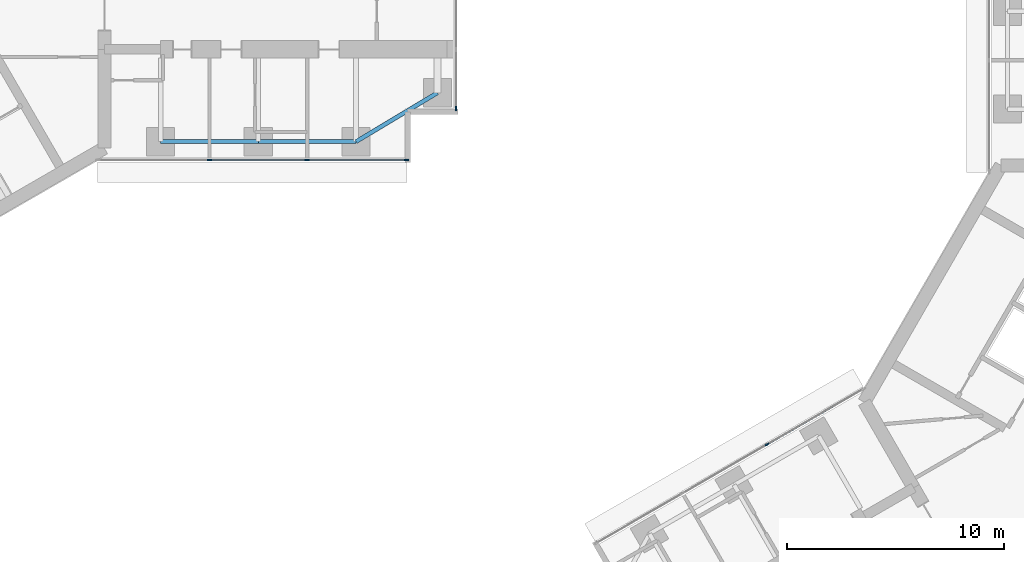
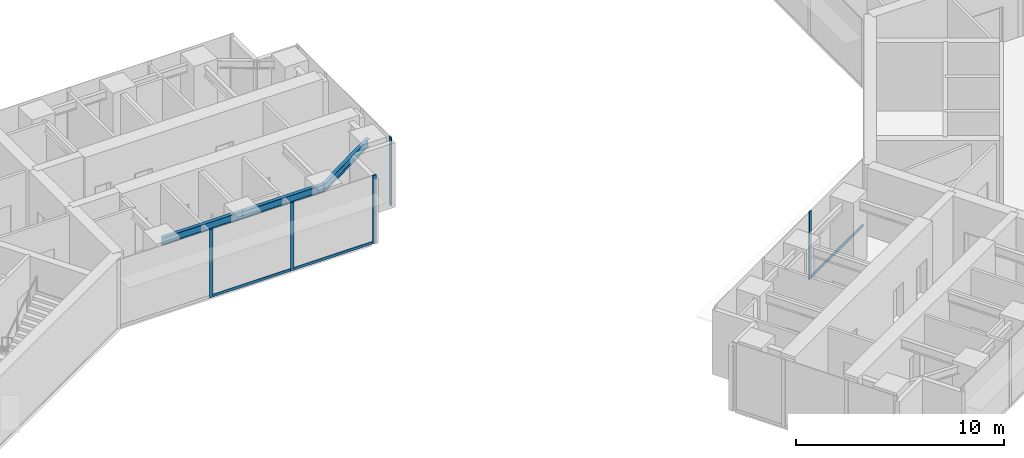
# One storey, part 4 of 22: 8 members, 3 beams, 3 elements without a shape of their own.
"""IFC4 building model written with IfcOpenShell, lengths in metres."""

from ifc_helpers import new_model, si_unit, direction, frame, origin, origin_2d, place, context, subcontext, project, spatial, rectangle, i_section, extrude, material, material_profile, profile_set, type_object, element, aggregate, save


model = new_model("IFC4")

# Units and contexts
model_context = context("Model", 3, precision=1e-05, world=origin(), true_north=direction((0.0, 1.0)))
body_context = subcontext(model_context, "Body", "Model", "MODEL_VIEW")
ifc_project = project(units=[si_unit("LENGTHUNIT", "METRE"), si_unit("AREAUNIT", "SQUARE_METRE"), si_unit("VOLUMEUNIT", "CUBIC_METRE"), si_unit("PLANEANGLEUNIT", "RADIAN"), si_unit("MASSUNIT", "GRAM", prefix="KILO")], contexts=[model_context])

# Site, building, storey
site_placement = place(None, origin())
site = spatial("IfcSite", under=ifc_project, at=site_placement, CompositionType="ELEMENT")
building_placement = place(site_placement, origin())
building = spatial("IfcBuilding", under=site, at=building_placement, Name="Upepo Twin Towers", CompositionType="ELEMENT")
storey_placement = place(building_placement, frame((0.0, 0.0, 141.5)))
storey = spatial("IfcBuildingStorey", under=building, at=storey_placement, Name="L34", CompositionType="ELEMENT", Elevation=141.5)

# Beams
ifc_material_1 = material(Name="Steel S355", Category="steel")
ifc_material_profile_1 = material_profile(ifc_material_1, i_section(OverallWidth=0.1904296875, OverallDepth=0.45703125, WebThickness=0.009033203125, FlangeThickness=0.014404296875, FilletRadius=0.01025390625, at=origin_2d()), Name="UB 457x191x74")
ifc_profile_set_1 = profile_set([ifc_material_profile_1], Name="Steel S355")
beam_type = type_object("IfcBeamType", Name="Beam UB 457x191x74", PredefinedType="BEAM", material=ifc_profile_set_1)
for number, where, z_axis, x_axis, name in (
    (1, (13.5, -6.0, 3.571533203125), (1.0, 0.0, 0.0), (0.0, 1.0, 0.0), "T1 edge beam AR 13.5-18.0"),
    (2, (18.0, -6.0, 3.571533203125), (1.0, 0.0, 0.0), (0.0, 1.0, 0.0), "T1 edge beam AR 18.0-22.5"),
):
    element("IfcBeam", number, at=place(storey_placement, frame(where, z_axis=z_axis, x_axis=x_axis)), inside=storey, type_object=beam_type, Name=name, PredefinedType="BEAM", context=body_context, shape_type="SweptSolid", body=[
        extrude(i_section(OverallWidth=0.1904296875, OverallDepth=0.45703125, WebThickness=0.009033203125, FlangeThickness=0.014404296875, FilletRadius=0.01025390625, at=origin_2d()), origin(), (0.0, 0.0, 1.0), 4.5),
    ])
beam_placement = place(storey_placement, frame((22.5, -6.0, 3.571533203125), z_axis=(0.857492925713, 0.514495755428, 0.0), x_axis=(-0.514495755428, 0.857492925713, 0.0)))
element("IfcBeam", 3, at=beam_placement, inside=storey, type_object=beam_type, Name="T1 nose edge beam AR", PredefinedType="BEAM", context=body_context, shape_type="SweptSolid", body=[
    extrude(i_section(OverallWidth=0.1904296875, OverallDepth=0.45703125, WebThickness=0.009033203125, FlangeThickness=0.014404296875, FilletRadius=0.01025390625, at=origin_2d()), origin(), (0.0, 0.0, 1.0), 4.373291015625),
])

# Curtain wall, members
ifc_material_2 = material(Name="Aluminium and fritted glass", Category="aluminium")
curtain_wall_type = type_object("IfcCurtainWallType", Name="Tower curtain wall TW2, fritted glass", PredefinedType="NOTDEFINED", material=ifc_material_2)
curtain_wall_1_placement = place(storey_placement, origin())
curtain_wall_1 = element("IfcCurtainWall", 4, at=curtain_wall_1_placement, inside=storey, type_object=curtain_wall_type, Name="T1 L34 wing A flank R curtain wall", PredefinedType="NOTDEFINED")
ifc_material_3 = material(Name="Aluminium mullion", Category="aluminium")
ifc_material_profile_2 = material_profile(ifc_material_3, rectangle(XDim=0.06494140625, YDim=0.199951171875, at=origin_2d()), Name="MULLION 65x200")
ifc_profile_set_2 = profile_set([ifc_material_profile_2], Name="Aluminium mullion")
member_type_1 = type_object("IfcMemberType", Name="Mullion 65x200 TW2", PredefinedType="MULLION", material=ifc_profile_set_2)
member_1_placement = place(storey_placement, frame((24.8173828125, -6.85009765625, 0.0), z_axis=(0.0, 0.0, 1.0), x_axis=(0.0, -1.0, 0.0)))
member_1 = element("IfcMember", 5, at=member_1_placement, type_object=member_type_1, Name="T1 L34 wing A flank R curtain wall mullion 1", PredefinedType="MULLION", context=body_context, shape_type="SweptSolid", body=[
    extrude(rectangle(XDim=0.06494140625, YDim=0.199951171875, at=origin_2d()), origin(), (0.0, 0.0, 1.0), 4.0),
])
member_2_placement = place(storey_placement, frame((20.25, -6.85009765625, 0.0), z_axis=(0.0, 0.0, 1.0), x_axis=(0.0, -1.0, 0.0)))
member_2 = element("IfcMember", 6, at=member_2_placement, type_object=member_type_1, Name="T1 L34 wing A flank R curtain wall mullion 2", PredefinedType="MULLION", context=body_context, shape_type="SweptSolid", body=[
    extrude(rectangle(XDim=0.06494140625, YDim=0.199951171875, at=origin_2d()), origin(), (0.0, 0.0, 1.0), 4.0),
])
member_3_placement = place(storey_placement, frame((15.75, -6.85009765625, 0.0), z_axis=(0.0, 0.0, 1.0), x_axis=(0.0, -1.0, 0.0)))
member_3 = element("IfcMember", 7, at=member_3_placement, type_object=member_type_1, Name="T1 L34 wing A flank R curtain wall mullion 3", PredefinedType="MULLION", context=body_context, shape_type="SweptSolid", body=[
    extrude(rectangle(XDim=0.06494140625, YDim=0.199951171875, at=origin_2d()), origin(), (0.0, 0.0, 1.0), 4.0),
])

# Curtain wall, member
curtain_wall_2_placement = place(storey_placement, origin())
curtain_wall_2 = element("IfcCurtainWall", 8, at=curtain_wall_2_placement, inside=storey, type_object=curtain_wall_type, Name="T1 L34 wing A nose curtain wall", PredefinedType="NOTDEFINED")
member_4_placement = place(storey_placement, frame((27.10009765625, -4.467529296875, 0.0), z_axis=(0.0, 0.0, 1.0), x_axis=(-1.0, 0.0, 0.0)))
member_4 = element("IfcMember", 9, at=member_4_placement, type_object=member_type_1, Name="T1 L34 wing A nose curtain wall mullion 1", PredefinedType="MULLION", context=body_context, shape_type="SweptSolid", body=[
    extrude(rectangle(XDim=0.06494140625, YDim=0.199951171875, at=origin_2d()), origin(), (0.0, 0.0, 1.0), 4.0),
])
aggregate(curtain_wall_2, [member_4])

curtain_wall_3_placement = place(storey_placement, origin())
curtain_wall_3 = element("IfcCurtainWall", 10, at=curtain_wall_3_placement, inside=storey, type_object=curtain_wall_type, Name="T2 L34 wing B flank R curtain wall", PredefinedType="NOTDEFINED")
member_5_placement = place(storey_placement, frame((41.43505859375, -19.942626953125, 0.0), z_axis=(0.0, 0.0, 1.0), x_axis=(-0.500000010308, 0.866025397833, 0.0)))
member_5 = element("IfcMember", 11, at=member_5_placement, type_object=member_type_1, Name="T2 L34 wing B flank R curtain wall mullion 3", PredefinedType="MULLION", context=body_context, shape_type="SweptSolid", body=[
    extrude(rectangle(XDim=0.06494140625, YDim=0.199951171875, at=origin_2d()), origin(), (0.0, 0.0, 1.0), 4.0),
])

# Member
ifc_material_4 = material(Name="Aluminium transom", Category="aluminium")
ifc_material_profile_3 = material_profile(ifc_material_4, rectangle(XDim=0.06494140625, YDim=0.14990234375, at=origin_2d()), Name="TRANSOM 65x150")
ifc_profile_set_3 = profile_set([ifc_material_profile_3], Name="Aluminium transom")
member_type_2 = type_object("IfcMemberType", Name="Transom 65x150 TW2", PredefinedType="USERDEFINED", material=ifc_profile_set_3)
member_6_placement = place(storey_placement, frame((24.784912109375, -6.85009765625, 0.074951171875), z_axis=(-1.0, 0.0, 0.0), x_axis=(0.0, -1.0, 0.0)))
member_6 = element("IfcMember", 12, at=member_6_placement, type_object=member_type_2, Name="T1 L34 wing A flank R curtain wall transom 1", ObjectType="TRANSOM", PredefinedType="USERDEFINED", context=body_context, shape_type="SweptSolid", body=[
    extrude(rectangle(XDim=0.06494140625, YDim=0.14990234375, at=origin_2d()), origin(), (0.0, 0.0, 1.0), 4.50244140625),
])

member_7_placement = place(storey_placement, frame((20.217529296875, -6.85009765625, 0.074951171875), z_axis=(-1.0, 0.0, 0.0), x_axis=(0.0, -1.0, 0.0)))
member_7 = element("IfcMember", 13, at=member_7_placement, type_object=member_type_2, Name="T1 L34 wing A flank R curtain wall transom 2", ObjectType="TRANSOM", PredefinedType="USERDEFINED", context=body_context, shape_type="SweptSolid", body=[
    extrude(rectangle(XDim=0.06494140625, YDim=0.14990234375, at=origin_2d()), origin(), (0.0, 0.0, 1.0), 4.43505859375),
])

aggregate(curtain_wall_1, [member_1, member_2, member_3, member_6, member_7])

member_8_placement = place(storey_placement, frame((41.463134765625, -19.926513671875, 0.074951171875), z_axis=(0.866033897268, 0.499985288567, 0.0), x_axis=(-0.499985288567, 0.866033897268, 0.0)))
member_8 = element("IfcMember", 14, at=member_8_placement, type_object=member_type_2, Name="T2 L34 wing B flank R curtain wall transom 3", ObjectType="TRANSOM", PredefinedType="USERDEFINED", context=body_context, shape_type="SweptSolid", body=[
    extrude(rectangle(XDim=0.06494140625, YDim=0.14990234375, at=origin_2d()), origin(), (0.0, 0.0, 1.0), 5.065673828125),
])

aggregate(curtain_wall_3, [member_5, member_8])

save(model, "model.ifc")
